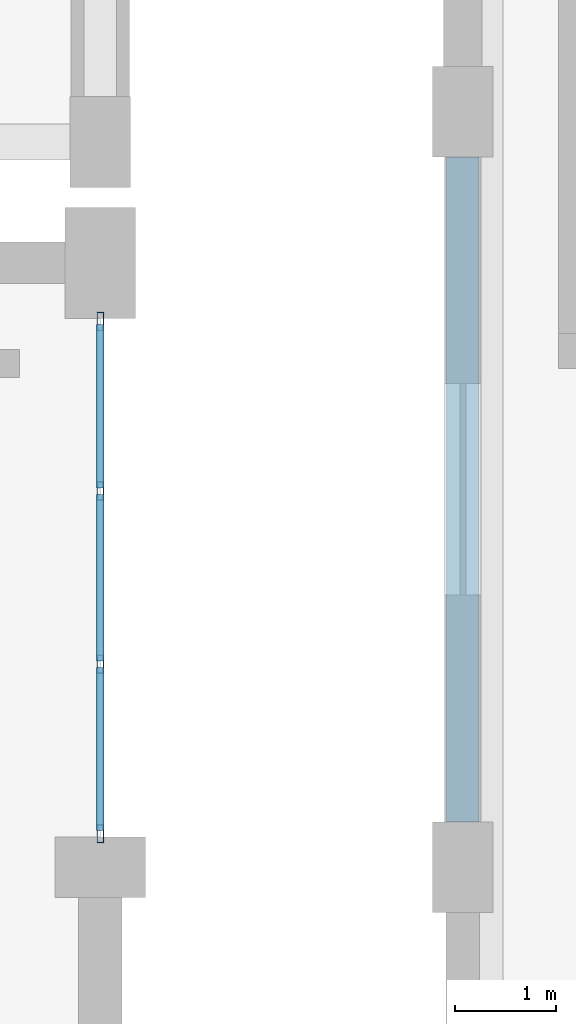
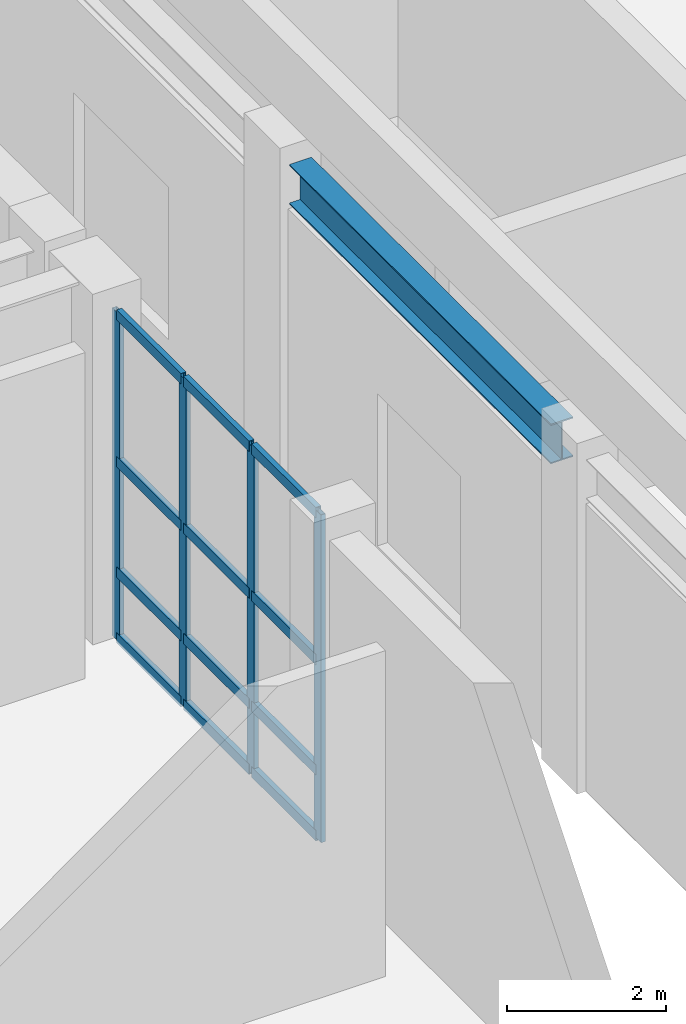
# One storey, part 18 of 41: 16 members, 1 beam, 1 element without a shape of its own.
"""IFC4 building model written with IfcOpenShell, lengths in metres."""

from ifc_helpers import new_model, si_unit, direction, frame, origin, origin_2d, place, context, subcontext, project, spatial, hollow_rectangle, i_section, extrude, material, layer, layer_set, material_profile, profile_set, type_object, element, aggregate, save


model = new_model("IFC4")

# Units and contexts
model_context = context("Model", 3, precision=1e-05, world=origin(), true_north=direction((0.0, 1.0)))
body_context = subcontext(model_context, "Body", "Model", "MODEL_VIEW")
ifc_project = project(units=[si_unit("LENGTHUNIT", "METRE"), si_unit("AREAUNIT", "SQUARE_METRE"), si_unit("VOLUMEUNIT", "CUBIC_METRE"), si_unit("PLANEANGLEUNIT", "RADIAN"), si_unit("MASSUNIT", "GRAM", prefix="KILO")], contexts=[model_context])

# Site, building, storey
site_placement = place(None, origin())
site = spatial("IfcSite", under=ifc_project, at=site_placement, CompositionType="ELEMENT")
building_placement = place(site_placement, origin())
building = spatial("IfcBuilding", under=site, at=building_placement, Name="Vaelkrest Opera House", CompositionType="ELEMENT")
storey_placement = place(building_placement, frame((0.0, 0.0, 24.60009765625)))
storey = spatial("IfcBuildingStorey", under=building, at=storey_placement, Name="L05", CompositionType="ELEMENT", Elevation=24.60009765625)

# Curtain wall, members
ifc_material_1 = material(Name="Dark bronze anodized aluminium", Category="aluminium")
ifc_layer = layer(ifc_material_1, 0.219970703125)
ifc_layer_set = layer_set([ifc_layer], Name="Dark bronze anodized aluminium")
curtain_wall_type = type_object("IfcCurtainWallType", Name="CW05", PredefinedType="NOTDEFINED", material=ifc_layer_set)
curtain_wall_placement = place(storey_placement, origin())
curtain_wall = element("IfcCurtainWall", 1, at=curtain_wall_placement, inside=storey, type_object=curtain_wall_type, Name="Curtain wall CW-L05-077", PredefinedType="NOTDEFINED")
ifc_material_profile_1 = material_profile(ifc_material_1, hollow_rectangle(XDim=0.06494140625, YDim=0.179931640625, WallThickness=0.00390625, at=origin_2d()), Name="CWM65X180")
ifc_profile_set_1 = profile_set([ifc_material_profile_1], Name="Dark bronze anodized aluminium")
member_type_1 = type_object("IfcMemberType", Name="CWM01", PredefinedType="MULLION", material=ifc_profile_set_1)
member_1_placement = place(storey_placement, frame((30.0, 15.619384765625, 0.0), z_axis=(0.0, 0.0, 1.0), x_axis=(1.0, 0.0, 0.0)))
member_1 = element("IfcMember", 2, at=member_1_placement, type_object=member_type_1, Name="CW05 mullion 1", PredefinedType="MULLION", context=body_context, shape_type="SweptSolid", body=[
    extrude(hollow_rectangle(XDim=0.06494140625, YDim=0.179931640625, WallThickness=0.00390625, at=origin_2d()), origin(), (0.0, 0.0, 1.0), 5.0498046875),
])
member_2_placement = place(storey_placement, frame((30.0, 13.93408203125, 0.0), z_axis=(0.0, 0.0, 1.0), x_axis=(1.0, 0.0, 0.0)))
member_2 = element("IfcMember", 3, at=member_2_placement, type_object=member_type_1, Name="CW05 mullion 2", PredefinedType="MULLION", context=body_context, shape_type="SweptSolid", body=[
    extrude(hollow_rectangle(XDim=0.06494140625, YDim=0.179931640625, WallThickness=0.00390625, at=origin_2d()), origin(), (0.0, 0.0, 1.0), 5.0498046875),
])
member_3_placement = place(storey_placement, frame((30.0, 12.216064453125, 0.0), z_axis=(0.0, 0.0, 1.0), x_axis=(1.0, 0.0, 0.0)))
member_3 = element("IfcMember", 4, at=member_3_placement, type_object=member_type_1, Name="CW05 mullion 3", PredefinedType="MULLION", context=body_context, shape_type="SweptSolid", body=[
    extrude(hollow_rectangle(XDim=0.06494140625, YDim=0.179931640625, WallThickness=0.00390625, at=origin_2d()), origin(), (0.0, 0.0, 1.0), 5.0498046875),
])
member_4_placement = place(storey_placement, frame((30.0, 10.530517578125, 0.0), z_axis=(0.0, 0.0, 1.0), x_axis=(1.0, 0.0, 0.0)))
member_4 = element("IfcMember", 5, at=member_4_placement, type_object=member_type_1, Name="CW05 mullion 4", PredefinedType="MULLION", context=body_context, shape_type="SweptSolid", body=[
    extrude(hollow_rectangle(XDim=0.06494140625, YDim=0.179931640625, WallThickness=0.00390625, at=origin_2d()), origin(), (0.0, 0.0, 1.0), 5.0498046875),
])
ifc_material_profile_2 = material_profile(ifc_material_1, hollow_rectangle(XDim=0.074951171875, YDim=0.159912109375, WallThickness=0.00439453125, at=origin_2d()), Name="CWT75X160")
ifc_profile_set_2 = profile_set([ifc_material_profile_2], Name="Dark bronze anodized aluminium")
member_type_2 = type_object("IfcMemberType", Name="CWT03", PredefinedType="USERDEFINED", material=ifc_profile_set_2)
member_5_placement = place(storey_placement, frame((30.0, 15.5869140625, 0.037353515625), z_axis=(0.0, -1.0, 0.0), x_axis=(1.0, 0.0, 0.0)))
member_5 = element("IfcMember", 6, at=member_5_placement, type_object=member_type_2, Name="CW05 transom 1.1", ObjectType="TRANSOM", PredefinedType="USERDEFINED", context=body_context, shape_type="SweptSolid", body=[
    extrude(hollow_rectangle(XDim=0.074951171875, YDim=0.159912109375, WallThickness=0.00439453125, at=origin_2d()), origin(), (0.0, 0.0, 1.0), 1.620361328125),
])
member_6_placement = place(storey_placement, frame((30.0, 15.5869140625, 1.0498046875), z_axis=(0.0, -1.0, 0.0), x_axis=(1.0, 0.0, 0.0)))
member_6 = element("IfcMember", 7, at=member_6_placement, type_object=member_type_2, Name="CW05 transom 1.2", ObjectType="TRANSOM", PredefinedType="USERDEFINED", context=body_context, shape_type="SweptSolid", body=[
    extrude(hollow_rectangle(XDim=0.074951171875, YDim=0.159912109375, WallThickness=0.00439453125, at=origin_2d()), origin(), (0.0, 0.0, 1.0), 1.620361328125),
])
member_7_placement = place(storey_placement, frame((30.0, 15.5869140625, 2.75), z_axis=(0.0, -1.0, 0.0), x_axis=(1.0, 0.0, 0.0)))
member_7 = element("IfcMember", 8, at=member_7_placement, type_object=member_type_2, Name="CW05 transom 1.3", ObjectType="TRANSOM", PredefinedType="USERDEFINED", context=body_context, shape_type="SweptSolid", body=[
    extrude(hollow_rectangle(XDim=0.074951171875, YDim=0.159912109375, WallThickness=0.00439453125, at=origin_2d()), origin(), (0.0, 0.0, 1.0), 1.620361328125),
])
member_8_placement = place(storey_placement, frame((30.0, 15.5869140625, 5.012451171875), z_axis=(0.0, -1.0, 0.0), x_axis=(1.0, 0.0, 0.0)))
member_8 = element("IfcMember", 9, at=member_8_placement, type_object=member_type_2, Name="CW05 transom 1.4", ObjectType="TRANSOM", PredefinedType="USERDEFINED", context=body_context, shape_type="SweptSolid", body=[
    extrude(hollow_rectangle(XDim=0.074951171875, YDim=0.159912109375, WallThickness=0.00439453125, at=origin_2d()), origin(), (0.0, 0.0, 1.0), 1.620361328125),
])
member_9_placement = place(storey_placement, frame((30.0, 13.901611328125, 0.037353515625), z_axis=(0.0, -1.0, 0.0), x_axis=(1.0, 0.0, 0.0)))
member_9 = element("IfcMember", 10, at=member_9_placement, type_object=member_type_2, Name="CW05 transom 2.1", ObjectType="TRANSOM", PredefinedType="USERDEFINED", context=body_context, shape_type="SweptSolid", body=[
    extrude(hollow_rectangle(XDim=0.074951171875, YDim=0.159912109375, WallThickness=0.00439453125, at=origin_2d()), origin(), (0.0, 0.0, 1.0), 1.653076171875),
])
member_10_placement = place(storey_placement, frame((30.0, 13.901611328125, 1.0498046875), z_axis=(0.0, -1.0, 0.0), x_axis=(1.0, 0.0, 0.0)))
member_10 = element("IfcMember", 11, at=member_10_placement, type_object=member_type_2, Name="CW05 transom 2.2", ObjectType="TRANSOM", PredefinedType="USERDEFINED", context=body_context, shape_type="SweptSolid", body=[
    extrude(hollow_rectangle(XDim=0.074951171875, YDim=0.159912109375, WallThickness=0.00439453125, at=origin_2d()), origin(), (0.0, 0.0, 1.0), 1.653076171875),
])
member_11_placement = place(storey_placement, frame((30.0, 13.901611328125, 2.75), z_axis=(0.0, -1.0, 0.0), x_axis=(1.0, 0.0, 0.0)))
member_11 = element("IfcMember", 12, at=member_11_placement, type_object=member_type_2, Name="CW05 transom 2.3", ObjectType="TRANSOM", PredefinedType="USERDEFINED", context=body_context, shape_type="SweptSolid", body=[
    extrude(hollow_rectangle(XDim=0.074951171875, YDim=0.159912109375, WallThickness=0.00439453125, at=origin_2d()), origin(), (0.0, 0.0, 1.0), 1.653076171875),
])
member_12_placement = place(storey_placement, frame((30.0, 13.901611328125, 5.012451171875), z_axis=(0.0, -1.0, 0.0), x_axis=(1.0, 0.0, 0.0)))
member_12 = element("IfcMember", 13, at=member_12_placement, type_object=member_type_2, Name="CW05 transom 2.4", ObjectType="TRANSOM", PredefinedType="USERDEFINED", context=body_context, shape_type="SweptSolid", body=[
    extrude(hollow_rectangle(XDim=0.074951171875, YDim=0.159912109375, WallThickness=0.00439453125, at=origin_2d()), origin(), (0.0, 0.0, 1.0), 1.653076171875),
])
member_13_placement = place(storey_placement, frame((30.0, 12.18359375, 0.037353515625), z_axis=(0.0, -1.0, 0.0), x_axis=(1.0, 0.0, 0.0)))
member_13 = element("IfcMember", 14, at=member_13_placement, type_object=member_type_2, Name="CW05 transom 3.1", ObjectType="TRANSOM", PredefinedType="USERDEFINED", context=body_context, shape_type="SweptSolid", body=[
    extrude(hollow_rectangle(XDim=0.074951171875, YDim=0.159912109375, WallThickness=0.00439453125, at=origin_2d()), origin(), (0.0, 0.0, 1.0), 1.62060546875),
])
member_14_placement = place(storey_placement, frame((30.0, 12.18359375, 1.0498046875), z_axis=(0.0, -1.0, 0.0), x_axis=(1.0, 0.0, 0.0)))
member_14 = element("IfcMember", 15, at=member_14_placement, type_object=member_type_2, Name="CW05 transom 3.2", ObjectType="TRANSOM", PredefinedType="USERDEFINED", context=body_context, shape_type="SweptSolid", body=[
    extrude(hollow_rectangle(XDim=0.074951171875, YDim=0.159912109375, WallThickness=0.00439453125, at=origin_2d()), origin(), (0.0, 0.0, 1.0), 1.62060546875),
])
member_15_placement = place(storey_placement, frame((30.0, 12.18359375, 2.75), z_axis=(0.0, -1.0, 0.0), x_axis=(1.0, 0.0, 0.0)))
member_15 = element("IfcMember", 16, at=member_15_placement, type_object=member_type_2, Name="CW05 transom 3.3", ObjectType="TRANSOM", PredefinedType="USERDEFINED", context=body_context, shape_type="SweptSolid", body=[
    extrude(hollow_rectangle(XDim=0.074951171875, YDim=0.159912109375, WallThickness=0.00439453125, at=origin_2d()), origin(), (0.0, 0.0, 1.0), 1.62060546875),
])
member_16_placement = place(storey_placement, frame((30.0, 12.18359375, 5.012451171875), z_axis=(0.0, -1.0, 0.0), x_axis=(1.0, 0.0, 0.0)))
member_16 = element("IfcMember", 17, at=member_16_placement, type_object=member_type_2, Name="CW05 transom 3.4", ObjectType="TRANSOM", PredefinedType="USERDEFINED", context=body_context, shape_type="SweptSolid", body=[
    extrude(hollow_rectangle(XDim=0.074951171875, YDim=0.159912109375, WallThickness=0.00439453125, at=origin_2d()), origin(), (0.0, 0.0, 1.0), 1.62060546875),
])
aggregate(curtain_wall, [member_1, member_2, member_3, member_4, member_5, member_6, member_7, member_8, member_9, member_10, member_11, member_12, member_13, member_14, member_15, member_16])

# Beam
ifc_material_2 = material(Name="Steel A992 Gr50", Category="steel")
ifc_material_profile_3 = material_profile(ifc_material_2, i_section(OverallWidth=0.323974609375, OverallDepth=0.611083984375, WebThickness=0.0126953125, FlangeThickness=0.01904296875, at=origin_2d()), Name="W24X104")
ifc_profile_set_3 = profile_set([ifc_material_profile_3], Name="Steel A992 Gr50")
beam_type = type_object("IfcBeamType", Name="SP01", PredefinedType="SPANDREL", material=ifc_profile_set_3)
beam_placement = place(storey_placement, frame((33.60009765625, 10.64990234375, 4.79931640625), z_axis=(0.0, 1.0, 0.0), x_axis=(-1.0, 0.0, 0.0)))
element("IfcBeam", 18, at=beam_placement, inside=storey, type_object=beam_type, Name="Beam BM-V4-L05-2445", PredefinedType="SPANDREL", context=body_context, shape_type="SweptSolid", body=[
    extrude(i_section(OverallWidth=0.323974609375, OverallDepth=0.611083984375, WebThickness=0.0126953125, FlangeThickness=0.01904296875, at=origin_2d()), origin(), (0.0, 0.0, 1.0), 6.60009765625),
])

save(model, "model.ifc")
